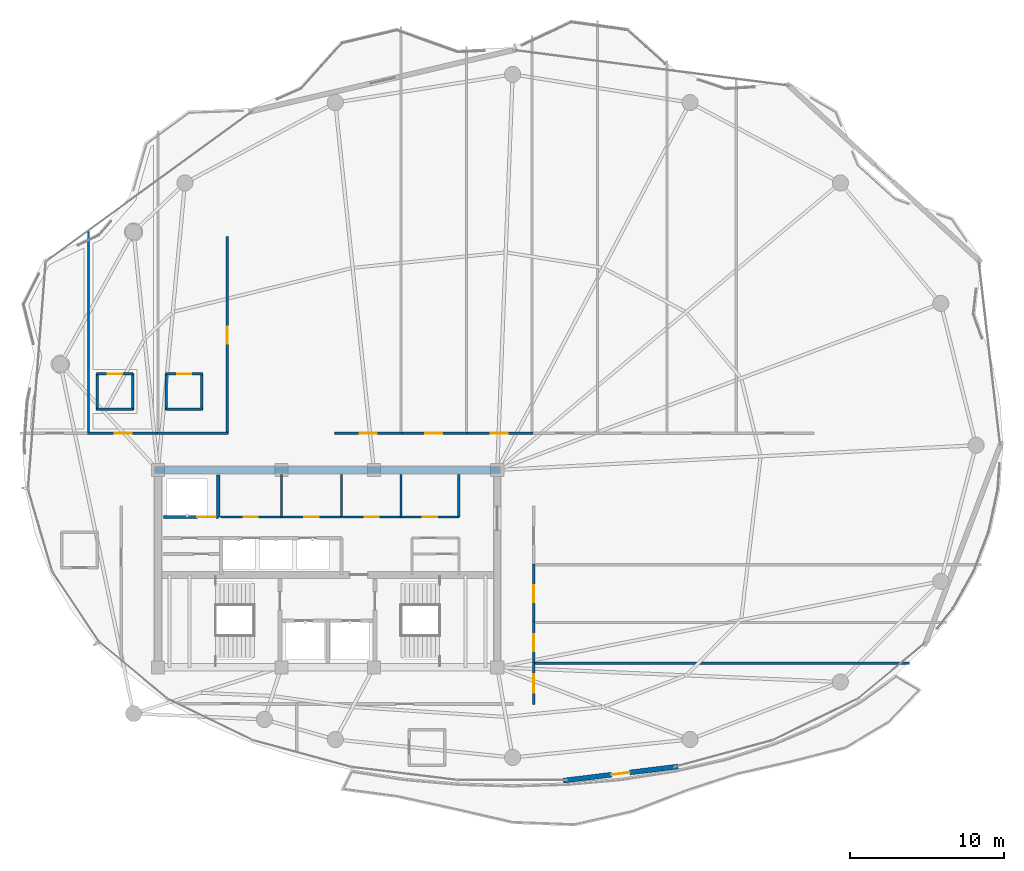
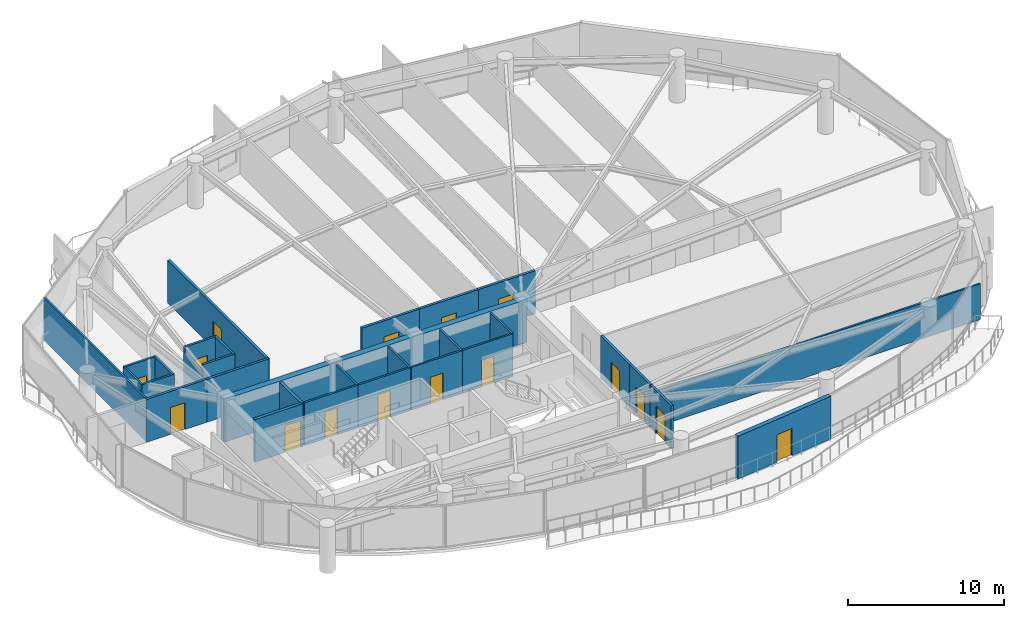
# One storey, part 26 of 31: 31 walls, 16 doors, 16 openings.
"""IFC4 building model written with IfcOpenShell, lengths in metres."""

import ifcopenshell
import ifcopenshell.guid

model = None  # the IFC model being written
_history = None  # IfcOwnerHistory: only IFC2X3 demands one
_inside = {}  # id of a spatial element -> (the spatial element, [elements in it])
_under = {}  # id of a project, library or spatial element -> (it, [spatial elements below it])
_declared = {}  # id of a project -> (the project, [libraries it declares])
_typed = {}  # id of a type object -> (the type object, [elements of that type])
_made_of = {}  # id of a material, layer set ... -> (it, [elements and type objects made of it])


def new_model(schema):
    """Start an empty IFC model of exactly this schema.

    Asked for "IFC4X3", IfcOpenShell would pick the latest addendum, in which some entities
    have other attributes; the version numbers below select the first issue.
    IFC2X3 requires an IfcOwnerHistory on every rooted entity: one is made here for all.
    """
    global model, _history
    if schema == "IFC4X3":
        model = ifcopenshell.file(schema_version=(4, 3, 0, 0))
    else:
        model = ifcopenshell.file(schema=schema)
    _inside.clear()
    _under.clear()
    _declared.clear()
    _typed.clear()
    _made_of.clear()
    _history = None
    if model.schema == "IFC2X3":
        org = make("IfcOrganization", Name="unknown")
        user = make(
            "IfcPersonAndOrganization",
            ThePerson=make("IfcPerson", FamilyName="unknown"),
            TheOrganization=org,
        )
        app = make(
            "IfcApplication",
            ApplicationDeveloper=org,
            Version="unknown",
            ApplicationFullName="unknown",
            ApplicationIdentifier="unknown",
        )
        _history = make(
            "IfcOwnerHistory",
            OwningUser=user,
            OwningApplication=app,
            ChangeAction="ADDED",
            CreationDate=0,
        )
    return model


def make(cls, **values):
    """One entity of the class cls with the attributes given. An attribute that is None is left unset."""
    return model.create_entity(
        cls, **{name: value for name, value in values.items() if value is not None}
    )


def rooted(cls, **values):
    """An entity with a GlobalId (a new one), such as an element, a storey or a relation."""
    return make(cls, GlobalId=ifcopenshell.guid.new(), OwnerHistory=_history, **values)


def si_unit(unit_type, name, prefix=None):
    """IfcSIUnit, for example si_unit("LENGTHUNIT", "METRE", prefix="MILLI")."""
    return make("IfcSIUnit", UnitType=unit_type, Prefix=prefix, Name=name)


def assignment(units):
    """IfcUnitAssignment: the units of a project."""
    return None if units is None else make("IfcUnitAssignment", Units=units)


def point(xyz):
    """IfcCartesianPoint."""
    return None if xyz is None else make("IfcCartesianPoint", Coordinates=xyz)


def direction(xyz):
    """IfcDirection."""
    return None if xyz is None else make("IfcDirection", DirectionRatios=xyz)


def frame(location, z_axis=None, x_axis=None):
    """IfcAxis2Placement3D, a coordinate frame: its origin and axes. An axis left out is left unset."""
    return make(
        "IfcAxis2Placement3D",
        Location=point(location),
        Axis=direction(z_axis),
        RefDirection=direction(x_axis),
    )


def frame_2d(location, x_axis=None):
    """IfcAxis2Placement2D, a coordinate frame in the plane: its origin and x axis."""
    return make(
        "IfcAxis2Placement2D", Location=point(location), RefDirection=direction(x_axis)
    )


def origin():
    """The frame at (0, 0, 0) with its axes left unset."""
    return frame((0.0, 0.0, 0.0))


def place(relative_to, where):
    """IfcLocalPlacement: puts the frame where relative to a parent placement (None: the world)."""
    return make(
        "IfcLocalPlacement", PlacementRelTo=relative_to, RelativePlacement=where
    )


def context(
    kind, dimensions, precision=None, world=None, true_north=None, identifier=None
):
    """IfcGeometricRepresentationContext, for example the 3D "Model" context."""
    return make(
        "IfcGeometricRepresentationContext",
        ContextIdentifier=identifier,
        ContextType=kind,
        CoordinateSpaceDimension=dimensions,
        Precision=precision,
        WorldCoordinateSystem=world,
        TrueNorth=true_north,
    )


def subcontext(parent, identifier, kind, view, scale=None):
    """IfcGeometricRepresentationSubContext, for example "Body" below "Model"."""
    return make(
        "IfcGeometricRepresentationSubContext",
        ContextIdentifier=identifier,
        ContextType=kind,
        ParentContext=parent,
        TargetScale=scale,
        TargetView=view,
    )


def project(units=None, contexts=None):
    """IfcProject with its units and contexts."""
    return rooted(
        "IfcProject",
        Name="project",
        RepresentationContexts=contexts,
        UnitsInContext=assignment(units),
    )


def spatial(cls, under=None, at=None, **own):
    """A site, building, storey or space (cls), placed at a placement, below another one or the project."""
    s = rooted(cls, ObjectPlacement=at, **own)
    if under is not None:
        _under.setdefault(under.id(), (under, []))[1].append(s)
    return s


def profile(cls, at=None, kind="AREA", **sizes):
    """A parametric profile (cls). Its sizes go by their IFC names, for example OverallWidth=200.0."""
    return make(cls, ProfileType=kind, Position=at, **sizes)


def rectangle(**sizes):
    """IfcRectangleProfileDef."""
    return profile("IfcRectangleProfileDef", **sizes)


def extrude(swept, where, along, depth):
    """IfcExtrudedAreaSolid: the profile swept, set in the frame where, extruded along a direction by depth."""
    return make(
        "IfcExtrudedAreaSolid",
        SweptArea=swept,
        Position=where,
        ExtrudedDirection=direction(along),
        Depth=depth,
    )


def shape(context_of_items, identifier, shape_type, items):
    """IfcShapeRepresentation: the items that make up one representation, for example the "Body"."""
    return make(
        "IfcShapeRepresentation",
        ContextOfItems=context_of_items,
        RepresentationIdentifier=identifier,
        RepresentationType=shape_type,
        Items=items,
    )


def material(Name=None, Category=None):
    """IfcMaterial."""
    return make("IfcMaterial", Name=Name, Category=Category)


def layer(
    of_material, thickness, ventilated=None, Name=None, Category=None, Priority=None
):
    """IfcMaterialLayer: one layer of a wall or slab, of a material (None: an air gap)."""
    return make(
        "IfcMaterialLayer",
        Material=of_material,
        LayerThickness=thickness,
        IsVentilated=ventilated,
        Name=Name,
        Category=Category,
        Priority=Priority,
    )


def layer_set(layers, Name=None):
    """IfcMaterialLayerSet."""
    return make("IfcMaterialLayerSet", MaterialLayers=layers, LayerSetName=Name)


def made_of(thing, what):
    """Note that an element or type object is made of a material, layer set ...; save() writes the relation."""
    if what is not None:
        _made_of.setdefault(what.id(), (what, []))[1].append(thing)
    return thing


def type_object(cls, material=None, **own):
    """A type object (cls), such as IfcWallType, which elements share."""
    return made_of(rooted(cls, **own), material)


def element(
    cls,
    number,
    at=None,
    inside=None,
    cuts=None,
    type_object=None,
    material=None,
    context=None,
    identifier="Body",
    shape_type=None,
    held_by="IfcProductDefinitionShape",
    body=None,
    shapes=None,
    **own,
):
    """One element of the class cls, such as IfcWall. Its Tag is "e" and its number.

    at: its placement. inside: the storey or other place that contains it. cuts: it is an
    opening in that element (IfcRelVoidsElement). A single representation is given by context,
    identifier, shape_type and body (its items); several are given by shapes. held_by: the class
    of the entity that holds the representations. save() writes the other relations.
    """
    e = rooted(cls, Tag="e%d" % number, ObjectPlacement=at, **own)
    if body is not None:
        shapes = [shape(context, identifier, shape_type, body)]
    if shapes is not None:
        e.Representation = make(held_by, Representations=shapes)
    if inside is not None:
        _inside.setdefault(inside.id(), (inside, []))[1].append(e)
    if cuts is not None:
        rooted(
            "IfcRelVoidsElement", RelatingBuildingElement=cuts, RelatedOpeningElement=e
        )
    if type_object is not None:
        _typed.setdefault(type_object.id(), (type_object, []))[1].append(e)
    return made_of(e, material)


def fill(opening, filler):
    """IfcRelFillsElement: the door or window that sits in an opening."""
    return rooted(
        "IfcRelFillsElement",
        RelatingOpeningElement=opening,
        RelatedBuildingElement=filler,
    )


def aggregate(whole, parts):
    """IfcRelAggregates: a whole, such as a stair, and the parts it consists of."""
    return rooted("IfcRelAggregates", RelatingObject=whole, RelatedObjects=parts)


def save(model, path):
    """Write the relations noted so far, then the file.

    IfcRelAggregates (storeys below a building ...), IfcRelContainedInSpatialStructure (elements
    in a storey), IfcRelDefinesByType, IfcRelAssociatesMaterial and IfcRelDeclares: one each for
    every whole, place, type object, material and project.
    """
    for whole, parts in _under.values():
        aggregate(whole, parts)
    for where, things in _inside.values():
        rooted(
            "IfcRelContainedInSpatialStructure",
            RelatedElements=things,
            RelatingStructure=where,
        )
    for kind, things in _typed.values():
        rooted("IfcRelDefinesByType", RelatedObjects=things, RelatingType=kind)
    for what, things in _made_of.values():
        rooted("IfcRelAssociatesMaterial", RelatedObjects=things, RelatingMaterial=what)
    for by, libraries in _declared.values():
        rooted("IfcRelDeclares", RelatingContext=by, RelatedDefinitions=libraries)
    model.write(path)


model = new_model("IFC4")

# Units and contexts
model_context = context("Model", 3, precision=1e-05, world=origin(), true_north=direction((0.0, 1.0)))
body_context = subcontext(model_context, "Body", "Model", "MODEL_VIEW")
ifc_project = project(units=[si_unit("LENGTHUNIT", "METRE"), si_unit("AREAUNIT", "SQUARE_METRE"), si_unit("VOLUMEUNIT", "CUBIC_METRE"), si_unit("PLANEANGLEUNIT", "RADIAN"), si_unit("MASSUNIT", "GRAM", prefix="KILO")], contexts=[model_context])

# Site, building, storey
site_placement = place(None, origin())
site = spatial("IfcSite", under=ifc_project, at=site_placement, CompositionType="ELEMENT")
building_placement = place(site_placement, origin())
building = spatial("IfcBuilding", under=site, at=building_placement, Name="Kazevale Care Tower and Concert Hall", CompositionType="ELEMENT")
storey_placement = place(building_placement, frame((0.0, 0.0, 220.800048828125)))
storey = spatial("IfcBuildingStorey", under=building, at=storey_placement, Name="L58", CompositionType="ELEMENT", Elevation=220.800048828125)

# Wall, opening, door
ifc_material_1 = material(Name="Acoustic Gypsum on Steel Stud", Category="steel")
ifc_layer_1 = layer(ifc_material_1, 0.139892578125)
ifc_layer_set_1 = layer_set([ifc_layer_1], Name="Acoustic Gypsum on Steel Stud")
wall_type_1 = type_object("IfcWallType", Name="Acoustic Care & Suite Partition 140", PredefinedType="PARTITIONING", material=ifc_layer_set_1)
wall_1_placement = place(storey_placement, frame((26.050048828125, 33.35009765625, 0.0), z_axis=(0.0, 0.0, 1.0), x_axis=(1.0, 0.0, 0.0)))
wall_1 = element("IfcWall", 1, at=wall_1_placement, inside=storey, type_object=wall_type_1, Name="wall:L58:c_rpl1_s", PredefinedType="PARTITIONING", context=body_context, shape_type="SweptSolid", body=[
    extrude(rectangle(XDim=3.949951171875, YDim=0.139892578125, at=frame_2d((1.97509765625, 0.0))), origin(), (0.0, 0.0, 1.0), 3.35986328125),
])
opening_1_placement = place(wall_1_placement, frame((1.514892578125, 0.0, 0.0)))
opening_1 = element("IfcOpeningElement", 2, at=opening_1_placement, cuts=wall_1, Name="Opening ID-900", PredefinedType="OPENING", context=body_context, shape_type="SweptSolid", body=[
    extrude(rectangle(XDim=0.919921875, YDim=2.10009765625, at=frame_2d((0.4599609375, 1.050048828125))), frame((0.0, 0.079833984375, 0.0), z_axis=(0.0, -1.0, 0.0), x_axis=(1.0, 0.0, 0.0)), (0.0, 0.0, 1.0), 0.159912109375),
])
ifc_material_2 = material(Name="Oak Timber Fire Leaf", Category="wood")
door_type_1 = type_object("IfcDoorType", Name="Bathroom & Service Door 920x2100", OperationType="NOTDEFINED", PredefinedType="DOOR", material=ifc_material_2)
door_1_placement = place(opening_1_placement, origin())
door_1 = element("IfcDoor", 3, at=door_1_placement, inside=storey, type_object=door_type_1, Name="door:L58:d_rpl1", OperationType="SINGLE_SWING_LEFT", OverallHeight=2.10009765625, OverallWidth=0.919921875, PredefinedType="DOOR", context=body_context, shape_type="SweptSolid", body=[
    extrude(rectangle(XDim=0.919921875, YDim=2.10009765625, at=frame_2d((0.4599609375, 1.050048828125))), frame((0.0, 0.02490234375, 0.0), z_axis=(0.0, -1.0, 0.0), x_axis=(1.0, 0.0, 0.0)), (0.0, 0.0, 1.0), 0.050048828125),
])
fill(opening_1, door_1)

wall_2_placement = place(storey_placement, frame((30.0, 33.35009765625, 0.0), z_axis=(0.0, 0.0, 1.0), x_axis=(1.0, 0.0, 0.0)))
wall_2 = element("IfcWall", 4, at=wall_2_placement, inside=storey, type_object=wall_type_1, Name="wall:L58:c_rpl2_s", PredefinedType="PARTITIONING", context=body_context, shape_type="SweptSolid", body=[
    extrude(rectangle(XDim=3.919921875, YDim=0.139892578125, at=frame_2d((1.9599609375, 0.0))), origin(), (0.0, 0.0, 1.0), 3.35986328125),
])
opening_2_placement = place(wall_2_placement, frame((1.5, 0.0, 0.0)))
opening_2 = element("IfcOpeningElement", 5, at=opening_2_placement, cuts=wall_2, Name="Opening ID-900", PredefinedType="OPENING", context=body_context, shape_type="SweptSolid", body=[
    extrude(rectangle(XDim=0.919921875, YDim=2.10009765625, at=frame_2d((0.4599609375, 1.050048828125))), frame((0.0, 0.079833984375, 0.0), z_axis=(0.0, -1.0, 0.0), x_axis=(1.0, 0.0, 0.0)), (0.0, 0.0, 1.0), 0.159912109375),
])
door_2_placement = place(opening_2_placement, origin())
door_2 = element("IfcDoor", 6, at=door_2_placement, inside=storey, type_object=door_type_1, Name="door:L58:d_rpl2", OperationType="SINGLE_SWING_RIGHT", OverallHeight=2.10009765625, OverallWidth=0.919921875, PredefinedType="DOOR", context=body_context, shape_type="SweptSolid", body=[
    extrude(rectangle(XDim=0.919921875, YDim=2.10009765625, at=frame_2d((0.4599609375, 1.050048828125))), frame((0.0, 0.02490234375, 0.0), z_axis=(0.0, -1.0, 0.0), x_axis=(1.0, 0.0, 0.0)), (0.0, 0.0, 1.0), 0.050048828125),
])
fill(opening_2, door_2)

# Walls
for number, where, z_axis, x_axis, name in (
    (7, (30.0, 33.35009765625, 0.0), (0.0, 0.0, 1.0), (0.0, 1.0, 0.0), "wall:L58:c_rpl_m"),
    (8, (33.89990234375, 33.35009765625, 0.0), (0.0, 0.0, 1.0), (0.0, 1.0, 0.0), "wall:L58:c_rpl_e"),
):
    element("IfcWall", number, at=place(storey_placement, frame(where, z_axis=z_axis, x_axis=x_axis)), inside=storey, type_object=wall_type_1, Name=name, PredefinedType="PARTITIONING", context=body_context, shape_type="SweptSolid", body=[
        extrude(rectangle(XDim=2.75, YDim=0.139892578125, at=frame_2d((1.375, 0.0))), origin(), (0.0, 0.0, 1.0), 3.35986328125),
    ])

# Wall, opening, door
wall_3_placement = place(storey_placement, frame((33.97998046875, 33.35009765625, 0.0), z_axis=(0.0, 0.0, 1.0), x_axis=(1.0, 0.0, 0.0)))
wall_3 = element("IfcWall", 9, at=wall_3_placement, inside=storey, type_object=wall_type_1, Name="wall:L58:c_rpm1_s", PredefinedType="PARTITIONING", context=body_context, shape_type="SweptSolid", body=[
    extrude(rectangle(XDim=3.77001953125, YDim=0.139892578125, at=frame_2d((1.885009765625, 0.0))), origin(), (0.0, 0.0, 1.0), 3.35986328125),
])
opening_3_placement = place(wall_3_placement, frame((1.425048828125, 0.0, 0.0)))
opening_3 = element("IfcOpeningElement", 10, at=opening_3_placement, cuts=wall_3, Name="Opening ID-900", PredefinedType="OPENING", context=body_context, shape_type="SweptSolid", body=[
    extrude(rectangle(XDim=0.919921875, YDim=2.10009765625, at=frame_2d((0.4599609375, 1.050048828125))), frame((0.0, 0.079833984375, 0.0), z_axis=(0.0, -1.0, 0.0), x_axis=(1.0, 0.0, 0.0)), (0.0, 0.0, 1.0), 0.159912109375),
])
door_3_placement = place(opening_3_placement, origin())
door_3 = element("IfcDoor", 11, at=door_3_placement, inside=storey, type_object=door_type_1, Name="door:L58:d_rpm1", OperationType="SINGLE_SWING_LEFT", OverallHeight=2.10009765625, OverallWidth=0.919921875, PredefinedType="DOOR", context=body_context, shape_type="SweptSolid", body=[
    extrude(rectangle(XDim=0.919921875, YDim=2.10009765625, at=frame_2d((0.4599609375, 1.050048828125))), frame((0.0, 0.02490234375, 0.0), z_axis=(0.0, -1.0, 0.0), x_axis=(1.0, 0.0, 0.0)), (0.0, 0.0, 1.0), 0.050048828125),
])
fill(opening_3, door_3)

wall_4_placement = place(storey_placement, frame((37.75, 33.35009765625, 0.0), z_axis=(0.0, 0.0, 1.0), x_axis=(1.0, 0.0, 0.0)))
wall_4 = element("IfcWall", 12, at=wall_4_placement, inside=storey, type_object=wall_type_1, Name="wall:L58:c_rpm2_s", PredefinedType="PARTITIONING", context=body_context, shape_type="SweptSolid", body=[
    extrude(rectangle(XDim=3.77001953125, YDim=0.139892578125, at=frame_2d((1.885009765625, 0.0))), origin(), (0.0, 0.0, 1.0), 3.35986328125),
])
opening_4_placement = place(wall_4_placement, frame((1.425048828125, 0.0, 0.0)))
opening_4 = element("IfcOpeningElement", 13, at=opening_4_placement, cuts=wall_4, Name="Opening ID-900", PredefinedType="OPENING", context=body_context, shape_type="SweptSolid", body=[
    extrude(rectangle(XDim=0.919921875, YDim=2.10009765625, at=frame_2d((0.4599609375, 1.050048828125))), frame((0.0, 0.079833984375, 0.0), z_axis=(0.0, -1.0, 0.0), x_axis=(1.0, 0.0, 0.0)), (0.0, 0.0, 1.0), 0.159912109375),
])
door_4_placement = place(opening_4_placement, origin())
door_4 = element("IfcDoor", 14, at=door_4_placement, inside=storey, type_object=door_type_1, Name="door:L58:d_rpm2", OperationType="SINGLE_SWING_RIGHT", OverallHeight=2.10009765625, OverallWidth=0.919921875, PredefinedType="DOOR", context=body_context, shape_type="SweptSolid", body=[
    extrude(rectangle(XDim=0.919921875, YDim=2.10009765625, at=frame_2d((0.4599609375, 1.050048828125))), frame((0.0, 0.02490234375, 0.0), z_axis=(0.0, -1.0, 0.0), x_axis=(1.0, 0.0, 0.0)), (0.0, 0.0, 1.0), 0.050048828125),
])
fill(opening_4, door_4)

# Walls
for number, where, z_axis, x_axis, name in (
    (15, (37.75, 33.35009765625, 0.0), (0.0, 0.0, 1.0), (0.0, 1.0, 0.0), "wall:L58:c_rpm_m"),
    (16, (41.5, 33.35009765625, 0.0), (0.0, 0.0, 1.0), (0.0, 1.0, 0.0), "wall:L58:c_rpm_e"),
):
    element("IfcWall", number, at=place(storey_placement, frame(where, z_axis=z_axis, x_axis=x_axis)), inside=storey, type_object=wall_type_1, Name=name, PredefinedType="PARTITIONING", context=body_context, shape_type="SweptSolid", body=[
        extrude(rectangle(XDim=2.75, YDim=0.139892578125, at=frame_2d((1.375, 0.0))), origin(), (0.0, 0.0, 1.0), 3.35986328125),
    ])
wall_5_placement = place(storey_placement, frame((17.5, 51.916259765625, 0.0), z_axis=(0.0, 0.0, 1.0), x_axis=(0.0, -1.0, 0.0)))
element("IfcWall", 17, at=wall_5_placement, inside=storey, type_object=wall_type_1, Name="wall:L58:auto_019", PredefinedType="PARTITIONING", context=body_context, shape_type="SweptSolid", body=[
    extrude(rectangle(XDim=13.171142578125, YDim=0.139892578125, at=frame_2d((6.58544921875, 0.0))), origin(), (0.0, 0.0, 1.0), 3.35986328125),
])
wall_6_placement = place(storey_placement, frame((46.344970703125, 23.860107421875, 0.0), z_axis=(0.0, 0.0, 1.0), x_axis=(1.0, 0.0, 0.0)))
element("IfcWall", 18, at=wall_6_placement, inside=storey, type_object=wall_type_1, Name="wall:L58:auto_027", PredefinedType="PARTITIONING", context=body_context, shape_type="SweptSolid", body=[
    extrude(rectangle(XDim=24.39306640625, YDim=0.139892578125, at=frame_2d((12.196533203125, 0.0))), origin(), (0.0, 0.0, 1.0), 2.805908203125),
])
ifc_material_3 = material(Name="Concrete C50", Category="concrete")
ifc_layer_2 = layer(ifc_material_3, 0.449951171875)
ifc_layer_set_2 = layer_set([ifc_layer_2], Name="Concrete C50")
wall_type_2 = type_object("IfcWallType", Name="Core Shear Wall 450 C50", PredefinedType="SHEAR", material=ifc_layer_set_2)
wall_7_placement = place(storey_placement, frame((21.77490234375, 36.39990234375, 0.0), z_axis=(0.0, 0.0, 1.0), x_axis=(1.0, 0.0, 0.0)))
element("IfcWall", 19, at=wall_7_placement, inside=storey, type_object=wall_type_2, Name="wall:L58:core:N", PredefinedType="SHEAR", context=body_context, shape_type="SweptSolid", body=[
    extrude(rectangle(XDim=22.4501953125, YDim=0.449951171875, at=frame_2d((11.22509765625, 0.0))), origin(), (0.0, 0.0, 1.0), 3.35986328125),
])
ifc_material_4 = material(Name="Concrete C40", Category="concrete")
ifc_layer_3 = layer(ifc_material_4, 0.219970703125)
ifc_layer_set_3 = layer_set([ifc_layer_3], Name="Concrete C40")
wall_type_3 = type_object("IfcWallType", Name="Elevator Hoistway Shaft Wall 220", PredefinedType="SOLIDWALL", material=ifc_layer_set_3)
wall_8_placement = place(storey_placement, frame((25.919921875, 33.35009765625, 0.0), z_axis=(0.0, 0.0, 1.0), x_axis=(0.0, 1.0, 0.0)))
element("IfcWall", 20, at=wall_8_placement, inside=storey, type_object=wall_type_3, Name="wall:L58:c_svl_e", PredefinedType="SOLIDWALL", context=body_context, shape_type="SweptSolid", body=[
    extrude(rectangle(XDim=2.72998046875, YDim=0.219970703125, at=frame_2d((1.364990234375, 0.0))), origin(), (0.0, 0.0, 1.0), 3.35986328125),
])

# Wall, opening, door
wall_9_placement = place(storey_placement, frame((22.35009765625, 33.35009765625, 0.0), z_axis=(0.0, 0.0, 1.0), x_axis=(1.0, 0.0, 0.0)))
wall_9 = element("IfcWall", 21, at=wall_9_placement, inside=storey, type_object=wall_type_3, Name="wall:L58:c_svl_s", PredefinedType="SOLIDWALL", context=body_context, shape_type="SweptSolid", body=[
    extrude(rectangle(XDim=3.56982421875, YDim=0.219970703125, at=frame_2d((1.784912109375, 0.0))), origin(), (0.0, 0.0, 1.0), 3.35986328125),
])
opening_5_placement = place(wall_9_placement, frame((2.212890625, 0.0, 0.0)))
opening_5 = element("IfcOpeningElement", 22, at=opening_5_placement, cuts=wall_9, Name="Opening LD-SV", PredefinedType="OPENING", context=body_context, shape_type="SweptSolid", body=[
    extrude(rectangle(XDim=1.199951171875, YDim=2.10009765625, at=frame_2d((0.60009765625, 1.050048828125))), frame((0.0, 0.119873046875, 0.0), z_axis=(0.0, -1.0, 0.0), x_axis=(1.0, 0.0, 0.0)), (0.0, 0.0, 1.0), 0.239990234375),
])
ifc_material_5 = material(Name="Stainless Steel 316", Category="steel")
door_type_2 = type_object("IfcDoorType", Name="Service Lift Sliding Landing Door 1200x2100", OperationType="NOTDEFINED", PredefinedType="DOOR", material=ifc_material_5)
door_5_placement = place(opening_5_placement, origin())
door_5 = element("IfcDoor", 23, at=door_5_placement, inside=storey, type_object=door_type_2, Name="door:L58:ld_svl1", OperationType="SLIDING_TO_LEFT", OverallHeight=2.10009765625, OverallWidth=1.199951171875, PredefinedType="DOOR", context=body_context, shape_type="SweptSolid", body=[
    extrude(rectangle(XDim=1.199951171875, YDim=2.10009765625, at=frame_2d((0.60009765625, 1.050048828125))), frame((0.0, 0.02490234375, 0.0), z_axis=(0.0, -1.0, 0.0), x_axis=(1.0, 0.0, 0.0)), (0.0, 0.0, 1.0), 0.050048828125),
])
fill(opening_5, door_5)

ifc_material_6 = material(Name="Concrete C40 and Acoustic Gypsum", Category="concrete")
ifc_layer_4 = layer(ifc_material_6, 0.179931640625)
ifc_layer_set_4 = layer_set([ifc_layer_4], Name="Concrete C40 and Acoustic Gypsum")
wall_type_4 = type_object("IfcWallType", Name="Fire-Rated Corridor & Party Wall 180", PredefinedType="PARTITIONING", material=ifc_layer_set_4)
wall_10_placement = place(storey_placement, frame((17.43505859375, 38.77490234375, 0.0), z_axis=(0.0, 0.0, 1.0), x_axis=(1.0, 0.0, 0.0)))
wall_10 = element("IfcWall", 24, at=wall_10_placement, inside=storey, type_object=wall_type_4, Name="wall:L58:auto_002", PredefinedType="PARTITIONING", context=body_context, shape_type="SweptSolid", body=[
    extrude(rectangle(XDim=4.6298828125, YDim=0.179931640625, at=frame_2d((2.31494140625, 0.0))), origin(), (0.0, 0.0, 1.0), 3.35986328125),
])
opening_6_placement = place(wall_10_placement, frame((1.764892578125, 0.0, 0.0)))
opening_6 = element("IfcOpeningElement", 25, at=opening_6_placement, cuts=wall_10, Name="Opening ID-1100", PredefinedType="OPENING", context=body_context, shape_type="SweptSolid", body=[
    extrude(rectangle(XDim=1.10009765625, YDim=2.10009765625, at=frame_2d((0.550048828125, 1.050048828125))), frame((0.0, 0.099853515625, 0.0), z_axis=(0.0, -1.0, 0.0), x_axis=(1.0, 0.0, 0.0)), (0.0, 0.0, 1.0), 0.199951171875),
])
door_type_3 = type_object("IfcDoorType", Name="Care Bedroom Accessible Door 1100x2100", OperationType="NOTDEFINED", PredefinedType="DOOR", material=ifc_material_2)
door_6_placement = place(opening_6_placement, origin())
door_6 = element("IfcDoor", 26, at=door_6_placement, inside=storey, type_object=door_type_3, Name="door:L58:ad_002", OperationType="SINGLE_SWING_LEFT", OverallHeight=2.10009765625, OverallWidth=1.10009765625, PredefinedType="DOOR", context=body_context, shape_type="SweptSolid", body=[
    extrude(rectangle(XDim=1.10009765625, YDim=2.10009765625, at=frame_2d((0.550048828125, 1.050048828125))), frame((0.0, 0.02490234375, 0.0), z_axis=(0.0, -1.0, 0.0), x_axis=(1.0, 0.0, 0.0)), (0.0, 0.0, 1.0), 0.050048828125),
])
fill(opening_6, door_6)

wall_11_placement = place(storey_placement, frame((26.5, 38.7451171875, 0.0), z_axis=(0.0, 0.0, 1.0), x_axis=(0.0, 1.0, 0.0)))
wall_11 = element("IfcWall", 27, at=wall_11_placement, inside=storey, type_object=wall_type_4, Name="wall:L58:auto_003", PredefinedType="PARTITIONING", context=body_context, shape_type="SweptSolid", body=[
    extrude(rectangle(XDim=12.784912109375, YDim=0.179931640625, at=frame_2d((6.392578125, 0.0))), origin(), (0.0, 0.0, 1.0), 3.35986328125),
])
opening_7_placement = place(wall_11_placement, frame((5.843017578125, 0.0, 0.0)))
opening_7 = element("IfcOpeningElement", 28, at=opening_7_placement, cuts=wall_11, Name="Opening ID-1100", PredefinedType="OPENING", context=body_context, shape_type="SweptSolid", body=[
    extrude(rectangle(XDim=1.10009765625, YDim=2.10009765625, at=frame_2d((0.550048828125, 1.050048828125))), frame((0.0, 0.099853515625, 0.0), z_axis=(0.0, -1.0, 0.0), x_axis=(1.0, 0.0, 0.0)), (0.0, 0.0, 1.0), 0.199951171875),
])
door_7_placement = place(opening_7_placement, origin())
door_7 = element("IfcDoor", 29, at=door_7_placement, inside=storey, type_object=door_type_3, Name="door:L58:ad_003", OperationType="SINGLE_SWING_LEFT", OverallHeight=2.10009765625, OverallWidth=1.10009765625, PredefinedType="DOOR", context=body_context, shape_type="SweptSolid", body=[
    extrude(rectangle(XDim=1.10009765625, YDim=2.10009765625, at=frame_2d((0.550048828125, 1.050048828125))), frame((0.0, 0.02490234375, 0.0), z_axis=(0.0, -1.0, 0.0), x_axis=(1.0, 0.0, 0.0)), (0.0, 0.0, 1.0), 0.050048828125),
])
fill(opening_7, door_7)

# Wall
wall_12_placement = place(storey_placement, frame((21.93505859375, 38.77490234375, 0.0), z_axis=(0.0, 0.0, 1.0), x_axis=(1.0, 0.0, 0.0)))
element("IfcWall", 30, at=wall_12_placement, inside=storey, type_object=wall_type_4, Name="wall:L58:auto_004", PredefinedType="PARTITIONING", context=body_context, shape_type="SweptSolid", body=[
    extrude(rectangle(XDim=4.594970703125, YDim=0.179931640625, at=frame_2d((2.29736328125, 0.0))), origin(), (0.0, 0.0, 1.0), 3.35986328125),
])

# Wall, opening, door
wall_13_placement = place(storey_placement, frame((33.43505859375, 38.77490234375, 0.0), z_axis=(0.0, 0.0, 1.0), x_axis=(1.0, 0.0, 0.0)))
wall_13 = element("IfcWall", 31, at=wall_13_placement, inside=storey, type_object=wall_type_4, Name="wall:L58:auto_005", PredefinedType="PARTITIONING", context=body_context, shape_type="SweptSolid", body=[
    extrude(rectangle(XDim=4.3798828125, YDim=0.179931640625, at=frame_2d((2.18994140625, 0.0))), origin(), (0.0, 0.0, 1.0), 3.35986328125),
])
opening_8_placement = place(wall_13_placement, frame((1.639892578125, 0.0, 0.0)))
opening_8 = element("IfcOpeningElement", 32, at=opening_8_placement, cuts=wall_13, Name="Opening ID-1100", PredefinedType="OPENING", context=body_context, shape_type="SweptSolid", body=[
    extrude(rectangle(XDim=1.10009765625, YDim=2.10009765625, at=frame_2d((0.550048828125, 1.050048828125))), frame((0.0, 0.099853515625, 0.0), z_axis=(0.0, -1.0, 0.0), x_axis=(1.0, 0.0, 0.0)), (0.0, 0.0, 1.0), 0.199951171875),
])
door_8_placement = place(opening_8_placement, origin())
door_8 = element("IfcDoor", 33, at=door_8_placement, inside=storey, type_object=door_type_3, Name="door:L58:ad_005", OperationType="SINGLE_SWING_LEFT", OverallHeight=2.10009765625, OverallWidth=1.10009765625, PredefinedType="DOOR", context=body_context, shape_type="SweptSolid", body=[
    extrude(rectangle(XDim=1.10009765625, YDim=2.10009765625, at=frame_2d((0.550048828125, 1.050048828125))), frame((0.0, 0.02490234375, 0.0), z_axis=(0.0, -1.0, 0.0), x_axis=(1.0, 0.0, 0.0)), (0.0, 0.0, 1.0), 0.050048828125),
])
fill(opening_8, door_8)

wall_14_placement = place(storey_placement, frame((37.68505859375, 38.77490234375, 0.0), z_axis=(0.0, 0.0, 1.0), x_axis=(1.0, 0.0, 0.0)))
wall_14 = element("IfcWall", 34, at=wall_14_placement, inside=storey, type_object=wall_type_4, Name="wall:L58:auto_006", PredefinedType="PARTITIONING", context=body_context, shape_type="SweptSolid", body=[
    extrude(rectangle(XDim=4.3798828125, YDim=0.179931640625, at=frame_2d((2.18994140625, 0.0))), origin(), (0.0, 0.0, 1.0), 3.35986328125),
])
opening_9_placement = place(wall_14_placement, frame((1.639892578125, 0.0, 0.0)))
opening_9 = element("IfcOpeningElement", 35, at=opening_9_placement, cuts=wall_14, Name="Opening ID-1100", PredefinedType="OPENING", context=body_context, shape_type="SweptSolid", body=[
    extrude(rectangle(XDim=1.10009765625, YDim=2.10009765625, at=frame_2d((0.550048828125, 1.050048828125))), frame((0.0, 0.099853515625, 0.0), z_axis=(0.0, -1.0, 0.0), x_axis=(1.0, 0.0, 0.0)), (0.0, 0.0, 1.0), 0.199951171875),
])
door_9_placement = place(opening_9_placement, origin())
door_9 = element("IfcDoor", 36, at=door_9_placement, inside=storey, type_object=door_type_3, Name="door:L58:ad_006", OperationType="SINGLE_SWING_LEFT", OverallHeight=2.10009765625, OverallWidth=1.10009765625, PredefinedType="DOOR", context=body_context, shape_type="SweptSolid", body=[
    extrude(rectangle(XDim=1.10009765625, YDim=2.10009765625, at=frame_2d((0.550048828125, 1.050048828125))), frame((0.0, 0.02490234375, 0.0), z_axis=(0.0, -1.0, 0.0), x_axis=(1.0, 0.0, 0.0)), (0.0, 0.0, 1.0), 0.050048828125),
])
fill(opening_9, door_9)

wall_15_placement = place(storey_placement, frame((41.93505859375, 38.77490234375, 0.0), z_axis=(0.0, 0.0, 1.0), x_axis=(1.0, 0.0, 0.0)))
wall_15 = element("IfcWall", 37, at=wall_15_placement, inside=storey, type_object=wall_type_4, Name="wall:L58:auto_007", PredefinedType="PARTITIONING", context=body_context, shape_type="SweptSolid", body=[
    extrude(rectangle(XDim=4.3798828125, YDim=0.179931640625, at=frame_2d((2.18994140625, 0.0))), origin(), (0.0, 0.0, 1.0), 3.35986328125),
])
opening_10_placement = place(wall_15_placement, frame((1.639892578125, 0.0, 0.0)))
opening_10 = element("IfcOpeningElement", 38, at=opening_10_placement, cuts=wall_15, Name="Opening ID-1100", PredefinedType="OPENING", context=body_context, shape_type="SweptSolid", body=[
    extrude(rectangle(XDim=1.10009765625, YDim=2.10009765625, at=frame_2d((0.550048828125, 1.050048828125))), frame((0.0, 0.099853515625, 0.0), z_axis=(0.0, -1.0, 0.0), x_axis=(1.0, 0.0, 0.0)), (0.0, 0.0, 1.0), 0.199951171875),
])
door_10_placement = place(opening_10_placement, origin())
door_10 = element("IfcDoor", 39, at=door_10_placement, inside=storey, type_object=door_type_3, Name="door:L58:ad_007", OperationType="SINGLE_SWING_LEFT", OverallHeight=2.10009765625, OverallWidth=1.10009765625, PredefinedType="DOOR", context=body_context, shape_type="SweptSolid", body=[
    extrude(rectangle(XDim=1.10009765625, YDim=2.10009765625, at=frame_2d((0.550048828125, 1.050048828125))), frame((0.0, 0.02490234375, 0.0), z_axis=(0.0, -1.0, 0.0), x_axis=(1.0, 0.0, 0.0)), (0.0, 0.0, 1.0), 0.050048828125),
])
fill(opening_10, door_10)

wall_16_placement = place(storey_placement, frame((46.375, 23.925048828125, 0.0), z_axis=(0.0, 0.0, 1.0), x_axis=(0.0, -1.0, 0.0)))
wall_16 = element("IfcWall", 40, at=wall_16_placement, inside=storey, type_object=wall_type_4, Name="wall:L58:auto_012", PredefinedType="PARTITIONING", context=body_context, shape_type="SweptSolid", body=[
    extrude(rectangle(XDim=2.72998046875, YDim=0.179931640625, at=frame_2d((1.364990234375, 0.0))), origin(), (0.0, 0.0, 1.0), 3.35986328125),
])
opening_11_placement = place(wall_16_placement, frame((0.764892578125, 0.0, 0.0)))
opening_11 = element("IfcOpeningElement", 41, at=opening_11_placement, cuts=wall_16, Name="Opening ID-1200", PredefinedType="OPENING", context=body_context, shape_type="SweptSolid", body=[
    extrude(rectangle(XDim=1.199951171875, YDim=2.14990234375, at=frame_2d((0.60009765625, 1.074951171875))), frame((0.0, 0.099853515625, 0.0), z_axis=(0.0, -1.0, 0.0), x_axis=(1.0, 0.0, 0.0)), (0.0, 0.0, 1.0), 0.199951171875),
])
door_type_4 = type_object("IfcDoorType", Name="Clinical & Therapy Door 1200x2150", OperationType="NOTDEFINED", PredefinedType="DOOR", material=ifc_material_2)
door_11_placement = place(opening_11_placement, origin())
door_11 = element("IfcDoor", 42, at=door_11_placement, inside=storey, type_object=door_type_4, Name="door:L58:ad_012", OperationType="SINGLE_SWING_LEFT", OverallHeight=2.14990234375, OverallWidth=1.199951171875, PredefinedType="DOOR", context=body_context, shape_type="SweptSolid", body=[
    extrude(rectangle(XDim=1.199951171875, YDim=2.14990234375, at=frame_2d((0.60009765625, 1.074951171875))), frame((0.0, 0.02490234375, 0.0), z_axis=(0.0, -1.0, 0.0), x_axis=(1.0, 0.0, 0.0)), (0.0, 0.0, 1.0), 0.050048828125),
])
fill(opening_11, door_11)

wall_17_placement = place(storey_placement, frame((46.375, 26.56494140625, 0.0), z_axis=(0.0, 0.0, 1.0), x_axis=(0.0, -1.0, 0.0)))
wall_17 = element("IfcWall", 43, at=wall_17_placement, inside=storey, type_object=wall_type_4, Name="wall:L58:auto_013", PredefinedType="PARTITIONING", context=body_context, shape_type="SweptSolid", body=[
    extrude(rectangle(XDim=2.77001953125, YDim=0.179931640625, at=frame_2d((1.385009765625, 0.0))), origin(), (0.0, 0.0, 1.0), 3.35986328125),
])
opening_12_placement = place(wall_17_placement, frame((0.8349609375, 0.0, 0.0)))
opening_12 = element("IfcOpeningElement", 44, at=opening_12_placement, cuts=wall_17, Name="Opening ID-1100", PredefinedType="OPENING", context=body_context, shape_type="SweptSolid", body=[
    extrude(rectangle(XDim=1.10009765625, YDim=2.10009765625, at=frame_2d((0.550048828125, 1.050048828125))), frame((0.0, 0.099853515625, 0.0), z_axis=(0.0, -1.0, 0.0), x_axis=(1.0, 0.0, 0.0)), (0.0, 0.0, 1.0), 0.199951171875),
])
door_12_placement = place(opening_12_placement, origin())
door_12 = element("IfcDoor", 45, at=door_12_placement, inside=storey, type_object=door_type_3, Name="door:L58:ad_013", OperationType="SINGLE_SWING_LEFT", OverallHeight=2.10009765625, OverallWidth=1.10009765625, PredefinedType="DOOR", context=body_context, shape_type="SweptSolid", body=[
    extrude(rectangle(XDim=1.10009765625, YDim=2.10009765625, at=frame_2d((0.550048828125, 1.050048828125))), frame((0.0, 0.02490234375, 0.0), z_axis=(0.0, -1.0, 0.0), x_axis=(1.0, 0.0, 0.0)), (0.0, 0.0, 1.0), 0.050048828125),
])
fill(opening_12, door_12)

wall_18_placement = place(storey_placement, frame((46.375, 30.31494140625, 0.0), z_axis=(0.0, 0.0, 1.0), x_axis=(0.0, -1.0, 0.0)))
wall_18 = element("IfcWall", 46, at=wall_18_placement, inside=storey, type_object=wall_type_4, Name="wall:L58:auto_014", PredefinedType="PARTITIONING", context=body_context, shape_type="SweptSolid", body=[
    extrude(rectangle(XDim=3.8798828125, YDim=0.179931640625, at=frame_2d((1.93994140625, 0.0))), origin(), (0.0, 0.0, 1.0), 3.35986328125),
])
opening_13_placement = place(wall_18_placement, frame((1.389892578125, 0.0, 0.0)))
opening_13 = element("IfcOpeningElement", 47, at=opening_13_placement, cuts=wall_18, Name="Opening ID-1100", PredefinedType="OPENING", context=body_context, shape_type="SweptSolid", body=[
    extrude(rectangle(XDim=1.10009765625, YDim=2.10009765625, at=frame_2d((0.550048828125, 1.050048828125))), frame((0.0, 0.099853515625, 0.0), z_axis=(0.0, -1.0, 0.0), x_axis=(1.0, 0.0, 0.0)), (0.0, 0.0, 1.0), 0.199951171875),
])
door_13_placement = place(opening_13_placement, origin())
door_13 = element("IfcDoor", 48, at=door_13_placement, inside=storey, type_object=door_type_3, Name="door:L58:ad_014", OperationType="SINGLE_SWING_LEFT", OverallHeight=2.10009765625, OverallWidth=1.10009765625, PredefinedType="DOOR", context=body_context, shape_type="SweptSolid", body=[
    extrude(rectangle(XDim=1.10009765625, YDim=2.10009765625, at=frame_2d((0.550048828125, 1.050048828125))), frame((0.0, 0.02490234375, 0.0), z_axis=(0.0, -1.0, 0.0), x_axis=(1.0, 0.0, 0.0)), (0.0, 0.0, 1.0), 0.050048828125),
])
fill(opening_13, door_13)

# Wall
ifc_layer_5 = layer(ifc_material_1, 0.159912109375)
ifc_layer_set_5 = layer_set([ifc_layer_5], Name="Acoustic Gypsum on Steel Stud")
wall_type_5 = type_object("IfcWallType", Name="Moisture-Resistant Bathroom Plumbing Wall 160", PredefinedType="PLUMBINGWALL", material=ifc_layer_set_5)
wall_19_placement = place(storey_placement, frame((18.010009765625, 40.324951171875, 0.0), z_axis=(0.0, 0.0, 1.0), x_axis=(1.0, 0.0, 0.0)))
element("IfcWall", 49, at=wall_19_placement, inside=storey, type_object=wall_type_5, Name="wall:L58:nb2a_ens_ws", PredefinedType="PLUMBINGWALL", context=body_context, shape_type="SweptSolid", body=[
    extrude(rectangle(XDim=2.3798828125, YDim=0.159912109375, at=frame_2d((1.18994140625, 0.0))), origin(), (0.0, 0.0, 1.0), 3.35986328125),
])

# Wall, opening, door
wall_20_placement = place(storey_placement, frame((18.010009765625, 42.625, 0.0), z_axis=(0.0, 0.0, 1.0), x_axis=(1.0, 0.0, 0.0)))
wall_20 = element("IfcWall", 50, at=wall_20_placement, inside=storey, type_object=wall_type_5, Name="wall:L58:nb2a_ens_wn", PredefinedType="PLUMBINGWALL", context=body_context, shape_type="SweptSolid", body=[
    extrude(rectangle(XDim=2.3798828125, YDim=0.159912109375, at=frame_2d((1.18994140625, 0.0))), origin(), (0.0, 0.0, 1.0), 3.35986328125),
])
opening_14_placement = place(wall_20_placement, frame((0.739990234375, 0.0, 0.0)))
opening_14 = element("IfcOpeningElement", 51, at=opening_14_placement, cuts=wall_20, Name="Opening ID-900", PredefinedType="OPENING", context=body_context, shape_type="SweptSolid", body=[
    extrude(rectangle(XDim=0.919921875, YDim=2.10009765625, at=frame_2d((0.4599609375, 1.050048828125))), frame((0.0, 0.08984375, 0.0), z_axis=(0.0, -1.0, 0.0), x_axis=(1.0, 0.0, 0.0)), (0.0, 0.0, 1.0), 0.179931640625),
])
door_14_placement = place(opening_14_placement, origin())
door_14 = element("IfcDoor", 52, at=door_14_placement, inside=storey, type_object=door_type_1, Name="door:L58:nb2a_ens_d", OperationType="SINGLE_SWING_LEFT", OverallHeight=2.10009765625, OverallWidth=0.919921875, PredefinedType="DOOR", context=body_context, shape_type="SweptSolid", body=[
    extrude(rectangle(XDim=0.919921875, YDim=2.10009765625, at=frame_2d((0.4599609375, 1.050048828125))), frame((0.0, 0.02490234375, 0.0), z_axis=(0.0, -1.0, 0.0), x_axis=(1.0, 0.0, 0.0)), (0.0, 0.0, 1.0), 0.050048828125),
])
fill(opening_14, door_14)

# Walls
for number, where, z_axis, x_axis, name in (
    (53, (18.050048828125, 40.284912109375, 0.0), (0.0, 0.0, 1.0), (0.0, 1.0, 0.0), "wall:L58:nb2a_ens_ww"),
    (54, (20.35009765625, 40.284912109375, 0.0), (0.0, 0.0, 1.0), (0.0, 1.0, 0.0), "wall:L58:nb2a_ens_we"),
):
    element("IfcWall", number, at=place(storey_placement, frame(where, z_axis=z_axis, x_axis=x_axis)), inside=storey, type_object=wall_type_5, Name=name, PredefinedType="PLUMBINGWALL", context=body_context, shape_type="SweptSolid", body=[
        extrude(rectangle(XDim=2.380126953125, YDim=0.159912109375, at=frame_2d((1.18994140625, 0.0))), origin(), (0.0, 0.0, 1.0), 3.35986328125),
    ])
wall_21_placement = place(storey_placement, frame((22.510009765625, 40.324951171875, 0.0), z_axis=(0.0, 0.0, 1.0), x_axis=(1.0, 0.0, 0.0)))
element("IfcWall", 55, at=wall_21_placement, inside=storey, type_object=wall_type_5, Name="wall:L58:nb2b_ens_ws", PredefinedType="PLUMBINGWALL", context=body_context, shape_type="SweptSolid", body=[
    extrude(rectangle(XDim=2.3798828125, YDim=0.159912109375, at=frame_2d((1.18994140625, 0.0))), origin(), (0.0, 0.0, 1.0), 3.35986328125),
])

# Wall, opening, door
wall_22_placement = place(storey_placement, frame((22.510009765625, 42.625, 0.0), z_axis=(0.0, 0.0, 1.0), x_axis=(1.0, 0.0, 0.0)))
wall_22 = element("IfcWall", 56, at=wall_22_placement, inside=storey, type_object=wall_type_5, Name="wall:L58:nb2b_ens_wn", PredefinedType="PLUMBINGWALL", context=body_context, shape_type="SweptSolid", body=[
    extrude(rectangle(XDim=2.3798828125, YDim=0.159912109375, at=frame_2d((1.18994140625, 0.0))), origin(), (0.0, 0.0, 1.0), 3.35986328125),
])
opening_15_placement = place(wall_22_placement, frame((0.739990234375, 0.0, 0.0)))
opening_15 = element("IfcOpeningElement", 57, at=opening_15_placement, cuts=wall_22, Name="Opening ID-900", PredefinedType="OPENING", context=body_context, shape_type="SweptSolid", body=[
    extrude(rectangle(XDim=0.919921875, YDim=2.10009765625, at=frame_2d((0.4599609375, 1.050048828125))), frame((0.0, 0.08984375, 0.0), z_axis=(0.0, -1.0, 0.0), x_axis=(1.0, 0.0, 0.0)), (0.0, 0.0, 1.0), 0.179931640625),
])
door_15_placement = place(opening_15_placement, origin())
door_15 = element("IfcDoor", 58, at=door_15_placement, inside=storey, type_object=door_type_1, Name="door:L58:nb2b_ens_d", OperationType="SINGLE_SWING_RIGHT", OverallHeight=2.10009765625, OverallWidth=0.919921875, PredefinedType="DOOR", context=body_context, shape_type="SweptSolid", body=[
    extrude(rectangle(XDim=0.919921875, YDim=2.10009765625, at=frame_2d((0.4599609375, 1.050048828125))), frame((0.0, 0.02490234375, 0.0), z_axis=(0.0, -1.0, 0.0), x_axis=(1.0, 0.0, 0.0)), (0.0, 0.0, 1.0), 0.050048828125),
])
fill(opening_15, door_15)

# Walls
wall_23_placement = place(storey_placement, frame((22.550048828125, 40.284912109375, 0.0), z_axis=(0.0, 0.0, 1.0), x_axis=(0.0, 1.0, 0.0)))
element("IfcWall", 59, at=wall_23_placement, inside=storey, type_object=wall_type_5, Name="wall:L58:nb2b_ens_ww", PredefinedType="PLUMBINGWALL", context=body_context, shape_type="SweptSolid", body=[
    extrude(rectangle(XDim=2.380126953125, YDim=0.159912109375, at=frame_2d((1.18994140625, 0.0))), origin(), (0.0, 0.0, 1.0), 2.805908203125),
])
wall_24_placement = place(storey_placement, frame((24.85009765625, 40.284912109375, 0.0), z_axis=(0.0, 0.0, 1.0), x_axis=(0.0, 1.0, 0.0)))
element("IfcWall", 60, at=wall_24_placement, inside=storey, type_object=wall_type_5, Name="wall:L58:nb2b_ens_we", PredefinedType="PLUMBINGWALL", context=body_context, shape_type="SweptSolid", body=[
    extrude(rectangle(XDim=2.380126953125, YDim=0.159912109375, at=frame_2d((1.18994140625, 0.0))), origin(), (0.0, 0.0, 1.0), 3.35986328125),
])

# Wall, opening, door
ifc_material_7 = material(Name="Concrete C40 with Honed Limestone Cladding", Category="masonry")
ifc_layer_6 = layer(ifc_material_7, 0.320068359375)
ifc_layer_set_6 = layer_set([ifc_layer_6], Name="Concrete C40 with Honed Limestone Cladding")
wall_type_6 = type_object("IfcWallType", Name="Tower Honed Limestone Spandrel Wall 320", PredefinedType="STANDARD", material=ifc_layer_set_6)
wall_25_placement = place(storey_placement, frame((55.72705078125, 17.1650390625, 0.0), z_axis=(0.0, 0.0, 1.0), x_axis=(-0.992559081031, -0.121763995755, 0.0)))
wall_25 = element("IfcWall", 61, at=wall_25_placement, inside=storey, type_object=wall_type_6, Name="wall:L58:bal_host", PredefinedType="STANDARD", context=body_context, shape_type="SweptSolid", body=[
    extrude(rectangle(XDim=7.49072265625, YDim=0.320068359375, at=frame_2d((3.745361328125, 0.0))), origin(), (0.0, 0.0, 1.0), 3.35986328125),
])
opening_16_placement = place(wall_25_placement, frame((3.14501953125, 0.0, 0.0)))
opening_16 = element("IfcOpeningElement", 62, at=opening_16_placement, cuts=wall_25, Name="Opening BD-1200", PredefinedType="OPENING", context=body_context, shape_type="SweptSolid", body=[
    extrude(rectangle(XDim=1.199951171875, YDim=2.14990234375, at=frame_2d((0.60009765625, 1.074951171875))), frame((0.0, 0.169921875, 0.0), z_axis=(0.0, -1.0, 0.0), x_axis=(1.0, 0.0, 0.0)), (0.0, 0.0, 1.0), 0.340087890625),
])
ifc_material_8 = material(Name="Aluminium 6063-T6 and Low-E Glass", Category="aluminium")
door_type_5 = type_object("IfcDoorType", Name="Sheltered Balcony Glazed Door 1200x2150", OperationType="NOTDEFINED", PredefinedType="DOOR", material=ifc_material_8)
door_16_placement = place(opening_16_placement, origin())
door_16 = element("IfcDoor", 63, at=door_16_placement, inside=storey, type_object=door_type_5, Name="door:L58:BD-1", OperationType="SINGLE_SWING_LEFT", OverallHeight=2.14990234375, OverallWidth=1.199951171875, PredefinedType="DOOR", context=body_context, shape_type="SweptSolid", body=[
    extrude(rectangle(XDim=1.199951171875, YDim=2.14990234375, at=frame_2d((0.60009765625, 1.074951171875))), frame((0.0, 0.02490234375, 0.0), z_axis=(0.0, -1.0, 0.0), x_axis=(1.0, 0.0, 0.0)), (0.0, 0.0, 1.0), 0.050048828125),
])
fill(opening_16, door_16)

save(model, "model.ifc")
